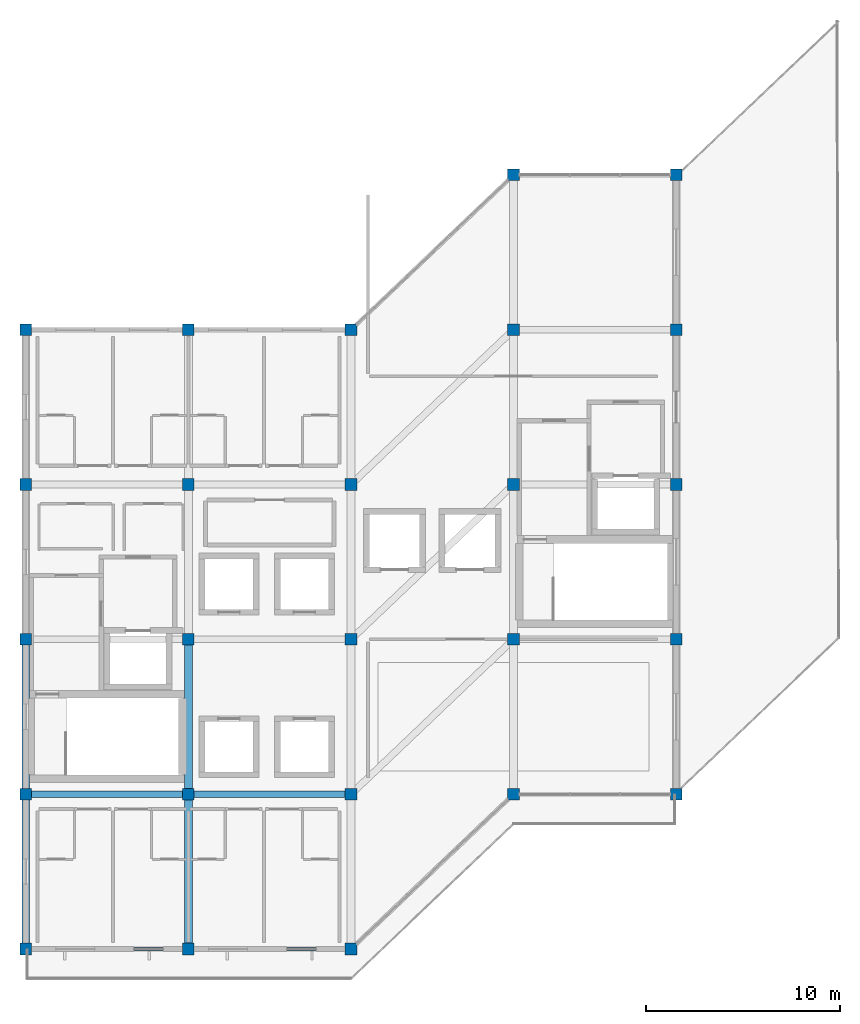
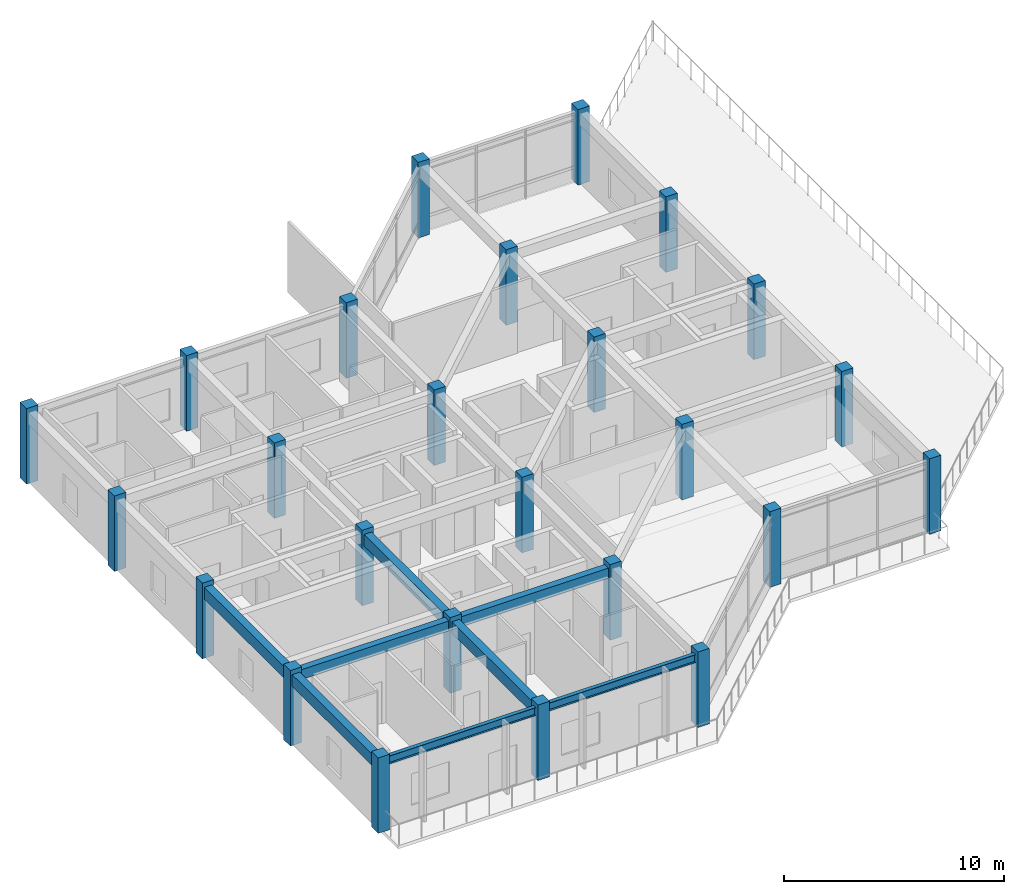
# One storey, part 1 of 11: 25 columns, 8 beams.
"""IFC4 building model written with IfcOpenShell, lengths in metres."""

from ifc_helpers import new_model, si_unit, direction, frame, origin, origin_2d, place, context, subcontext, project, spatial, rectangle, i_section, extrude, material, material_profile, profile_set, type_object, element, save


model = new_model("IFC4")

# Units and contexts
model_context = context("Model", 3, precision=1e-05, world=origin(), true_north=direction((0.0, 1.0)))
body_context = subcontext(model_context, "Body", "Model", "MODEL_VIEW")
ifc_project = project(units=[si_unit("LENGTHUNIT", "METRE"), si_unit("AREAUNIT", "SQUARE_METRE"), si_unit("VOLUMEUNIT", "CUBIC_METRE"), si_unit("PLANEANGLEUNIT", "RADIAN"), si_unit("MASSUNIT", "GRAM", prefix="KILO")], contexts=[model_context])

# Site, building, storey
site_placement = place(None, origin())
site = spatial("IfcSite", under=ifc_project, at=site_placement, CompositionType="ELEMENT")
building_placement = place(site_placement, origin())
building = spatial("IfcBuilding", under=site, at=building_placement, Name="Naruveol Harbour Congress Hotel", CompositionType="ELEMENT")
storey_placement = place(building_placement, frame((0.0, 0.0, 47.39990234375)))
storey = spatial("IfcBuildingStorey", under=building, at=storey_placement, Name="L11", CompositionType="ELEMENT", Elevation=47.39990234375)

# Columns
ifc_material_1 = material(Name="Concrete C40/50", Category="concrete")
ifc_material_profile_1 = material_profile(ifc_material_1, rectangle(XDim=0.60009765625, YDim=0.60009765625, at=origin_2d()), Name="RC-600x600")
ifc_profile_set_1 = profile_set([ifc_material_profile_1], Name="Concrete C40/50")
column_type = type_object("IfcColumnType", Name="RC UPPER COLUMN 600X600", PredefinedType="COLUMN", material=ifc_profile_set_1)
for number, where, z_axis, x_axis, name in (
    (1, (126.0, 0.0, 0.0), (0.0, 0.0, 1.0), (1.0, 0.0, 0.0), "Column C-600 L11 (126.0,0.0)"),
    (2, (126.0, 16.0, 0.0), (0.0, 0.0, 1.0), (1.0, 0.0, 0.0), "Column C-600 L11 (126.0,16.0)"),
    (3, (126.0, 32.0, 0.0), (0.0, 0.0, 1.0), (1.0, 0.0, 0.0), "Column C-600 L11 (126.0,32.0)"),
    (4, (134.39990234375, 0.0, 0.0), (0.0, 0.0, 1.0), (1.0, 0.0, 0.0), "Column C-600 L11 (134.4,0.0)"),
    (5, (134.39990234375, 16.0, 0.0), (0.0, 0.0, 1.0), (1.0, 0.0, 0.0), "Column C-600 L11 (134.4,16.0)"),
    (6, (134.39990234375, 32.0, 0.0), (0.0, 0.0, 1.0), (1.0, 0.0, 0.0), "Column C-600 L11 (134.4,32.0)"),
    (7, (142.800048828125, 0.0, 0.0), (0.0, 0.0, 1.0), (1.0, 0.0, 0.0), "Column C-600 L11 (142.8,0.0)"),
    (8, (142.800048828125, 16.0, 0.0), (0.0, 0.0, 1.0), (1.0, 0.0, 0.0), "Column C-600 L11 (142.8,16.0)"),
    (9, (142.800048828125, 32.0, 0.0), (0.0, 0.0, 1.0), (1.0, 0.0, 0.0), "Column C-600 L11 (142.8,32.0)"),
    (10, (151.199951171875, 8.0, 0.0), (0.0, 0.0, 1.0), (1.0, 0.0, 0.0), "Column C-600 L11 (151.2,8.0)"),
    (11, (151.199951171875, 24.0, 0.0), (0.0, 0.0, 1.0), (1.0, 0.0, 0.0), "Column C-600 L11 (151.2,24.0)"),
    (12, (151.199951171875, 40.0, 0.0), (0.0, 0.0, 1.0), (1.0, 0.0, 0.0), "Column C-600 L11 (151.2,40.0)"),
    (13, (159.60009765625, 8.0, 0.0), (0.0, 0.0, 1.0), (1.0, 0.0, 0.0), "Column C-600 L11 (159.6,8.0)"),
    (14, (159.60009765625, 24.0, 0.0), (0.0, 0.0, 1.0), (1.0, 0.0, 0.0), "Column C-600 L11 (159.6,24.0)"),
    (15, (159.60009765625, 40.0, 0.0), (0.0, 0.0, 1.0), (1.0, 0.0, 0.0), "Column C-600 L11 (159.6,40.0)"),
    (16, (126.0, 8.0, 0.0), (0.0, 0.0, 1.0), (1.0, 0.0, 0.0), "Planted hotel column C-600 L11 S1/J1"),
    (17, (126.0, 24.0, 0.0), (0.0, 0.0, 1.0), (1.0, 0.0, 0.0), "Planted hotel column C-600 L11 S1/J3"),
    (18, (134.39990234375, 8.0, 0.0), (0.0, 0.0, 1.0), (1.0, 0.0, 0.0), "Planted hotel column C-600 L11 S2/J1"),
    (19, (134.39990234375, 24.0, 0.0), (0.0, 0.0, 1.0), (1.0, 0.0, 0.0), "Planted hotel column C-600 L11 S2/J3"),
    (20, (142.800048828125, 8.0, 0.0), (0.0, 0.0, 1.0), (1.0, 0.0, 0.0), "Planted hotel column C-600 L11 S3/J1"),
    (21, (142.800048828125, 24.0, 0.0), (0.0, 0.0, 1.0), (1.0, 0.0, 0.0), "Planted hotel column C-600 L11 S3/J3"),
    (22, (151.199951171875, 16.0, 0.0), (0.0, 0.0, 1.0), (1.0, 0.0, 0.0), "Planted hotel column C-600 L11 S4/J1"),
    (23, (151.199951171875, 32.0, 0.0), (0.0, 0.0, 1.0), (1.0, 0.0, 0.0), "Planted hotel column C-600 L11 S4/J3"),
    (24, (159.60009765625, 16.0, 0.0), (0.0, 0.0, 1.0), (1.0, 0.0, 0.0), "Planted hotel column C-600 L11 S5/J1"),
    (25, (159.60009765625, 32.0, 0.0), (0.0, 0.0, 1.0), (1.0, 0.0, 0.0), "Planted hotel column C-600 L11 S5/J3"),
):
    element("IfcColumn", number, at=place(storey_placement, frame(where, z_axis=z_axis, x_axis=x_axis)), inside=storey, type_object=column_type, Name=name, PredefinedType="COLUMN", context=body_context, shape_type="SweptSolid", body=[
        extrude(rectangle(XDim=0.60009765625, YDim=0.60009765625, at=origin_2d()), origin(), (0.0, 0.0, 1.0), 4.2001953125),
    ])

# Beams
ifc_material_2 = material(Name="Concrete C40/50", Category="concrete")
ifc_material_profile_2 = material_profile(ifc_material_2, rectangle(XDim=0.39990234375, YDim=0.64990234375, at=origin_2d()), Name="RCB-400x650")
ifc_profile_set_2 = profile_set([ifc_material_profile_2], Name="Concrete C40/50")
beam_type_1 = type_object("IfcBeamType", Name="RC HOTEL BEAM 400X650", PredefinedType="BEAM", material=ifc_profile_set_2)
for number, where, z_axis, x_axis, name in (
    (26, (126.0, 0.2958984375, 3.614990234375), (0.0, 1.0, 0.0), (-1.0, 0.0, 0.0), "Hotel transverse beam RF CB4"),
    (27, (126.0, 8.2958984375, 3.614990234375), (0.0, 1.0, 0.0), (-1.0, 0.0, 0.0), "Hotel transverse beam RF CB4"),
    (28, (134.39990234375, 0.2958984375, 3.614990234375), (0.0, 1.0, 0.0), (-1.0, 0.0, 0.0), "Hotel transverse beam RF CB4"),
    (29, (134.39990234375, 8.2958984375, 3.614990234375), (0.0, 1.0, 0.0), (-1.0, 0.0, 0.0), "Hotel transverse beam RF CB4"),
):
    element("IfcBeam", number, at=place(storey_placement, frame(where, z_axis=z_axis, x_axis=x_axis)), inside=storey, type_object=beam_type_1, Name=name, PredefinedType="BEAM", context=body_context, shape_type="SweptSolid", body=[
        extrude(rectangle(XDim=0.39990234375, YDim=0.64990234375, at=origin_2d()), origin(), (0.0, 0.0, 1.0), 7.408203125),
    ])
ifc_material_3 = material(Name="Concrete C40/50", Category="concrete")
ifc_material_profile_3 = material_profile(ifc_material_3, rectangle(XDim=0.35009765625, YDim=0.550048828125, at=origin_2d()), Name="RCB-350x550")
ifc_profile_set_3 = profile_set([ifc_material_profile_3], Name="Concrete C40/50")
beam_type_2 = type_object("IfcBeamType", Name="RC SECONDARY BEAM 350X550", PredefinedType="JOIST", material=ifc_profile_set_3)
beam_1_placement = place(storey_placement, frame((126.2958984375, 8.0, 3.6650390625), z_axis=(1.0, 0.0, 0.0), x_axis=(0.0, 1.0, 0.0)))
element("IfcBeam", 30, at=beam_1_placement, inside=storey, type_object=beam_type_2, Name="Hotel chord beam RF CJ1", PredefinedType="JOIST", context=body_context, shape_type="SweptSolid", body=[
    extrude(rectangle(XDim=0.35009765625, YDim=0.550048828125, at=origin_2d()), origin(), (0.0, 0.0, 1.0), 7.80810546875),
])
beam_2_placement = place(storey_placement, frame((134.696044921875, 8.0, 3.6650390625), z_axis=(1.0, 0.0, 0.0), x_axis=(0.0, 1.0, 0.0)))
element("IfcBeam", 31, at=beam_2_placement, inside=storey, type_object=beam_type_2, Name="Hotel chord beam RF CJ1", PredefinedType="JOIST", context=body_context, shape_type="SweptSolid", body=[
    extrude(rectangle(XDim=0.35009765625, YDim=0.550048828125, at=origin_2d()), origin(), (0.0, 0.0, 1.0), 7.807861328125),
])
ifc_material_4 = material(Name="Steel SN490", Category="steel")
ifc_material_profile_4 = material_profile(ifc_material_4, i_section(OverallWidth=0.199951171875, OverallDepth=0.449951171875, WebThickness=0.009033203125, FlangeThickness=0.013916015625, at=origin_2d()), Name="H-450x200x9x14")
ifc_profile_set_4 = profile_set([ifc_material_profile_4], Name="Steel SN490")
beam_type_3 = type_object("IfcBeamType", Name="STEEL SPANDREL EDGE BEAM H450", PredefinedType="SPANDREL", material=ifc_profile_set_4)
beam_3_placement = place(storey_placement, frame((126.2958984375, 0.0, 3.715087890625), z_axis=(1.0, 0.0, 0.0), x_axis=(0.0, 1.0, 0.0)))
element("IfcBeam", 32, at=beam_3_placement, inside=storey, type_object=beam_type_3, Name="Hotel chord beam RF SPB2", PredefinedType="SPANDREL", context=body_context, shape_type="SweptSolid", body=[
    extrude(i_section(OverallWidth=0.199951171875, OverallDepth=0.449951171875, WebThickness=0.009033203125, FlangeThickness=0.013916015625, at=origin_2d()), origin(), (0.0, 0.0, 1.0), 7.80810546875),
])
beam_4_placement = place(storey_placement, frame((134.696044921875, 0.0, 3.715087890625), z_axis=(1.0, 0.0, 0.0), x_axis=(0.0, 1.0, 0.0)))
element("IfcBeam", 33, at=beam_4_placement, inside=storey, type_object=beam_type_3, Name="Hotel chord beam RF SPB2", PredefinedType="SPANDREL", context=body_context, shape_type="SweptSolid", body=[
    extrude(i_section(OverallWidth=0.199951171875, OverallDepth=0.449951171875, WebThickness=0.009033203125, FlangeThickness=0.013916015625, at=origin_2d()), origin(), (0.0, 0.0, 1.0), 7.807861328125),
])

save(model, "model.ifc")
